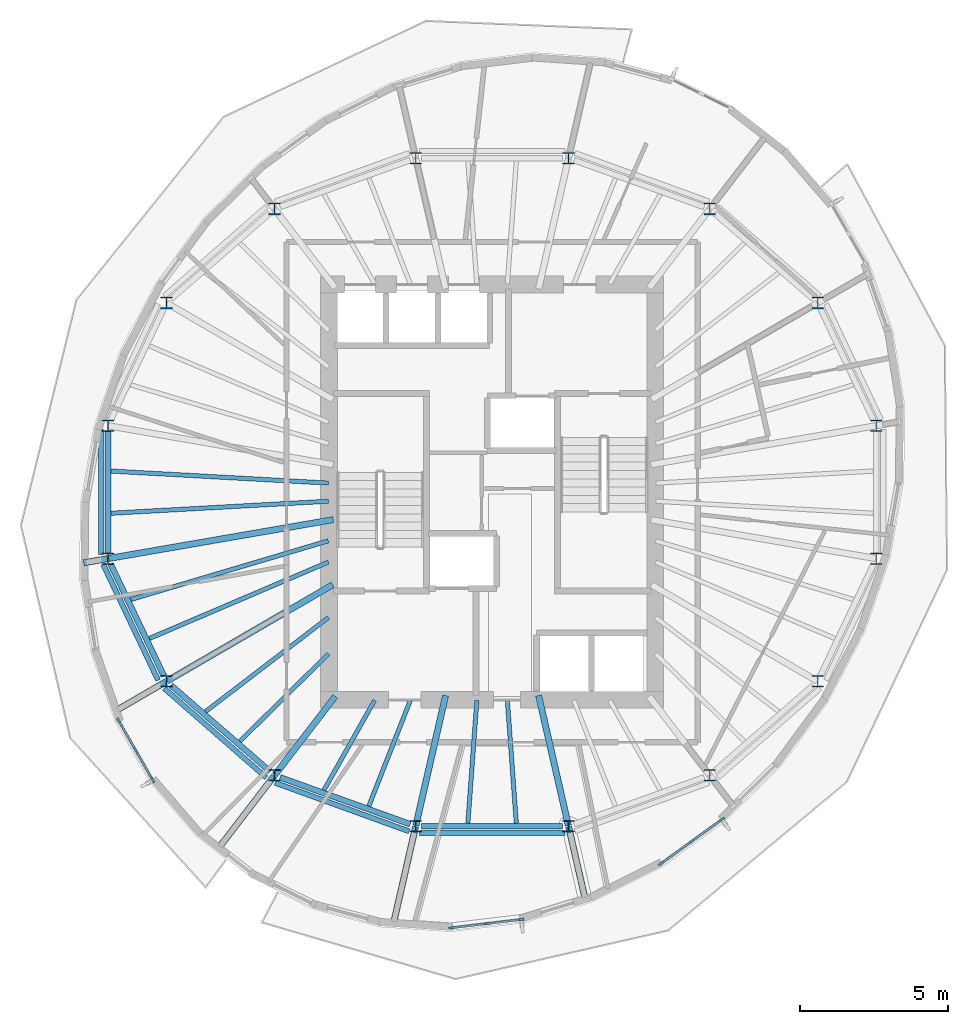
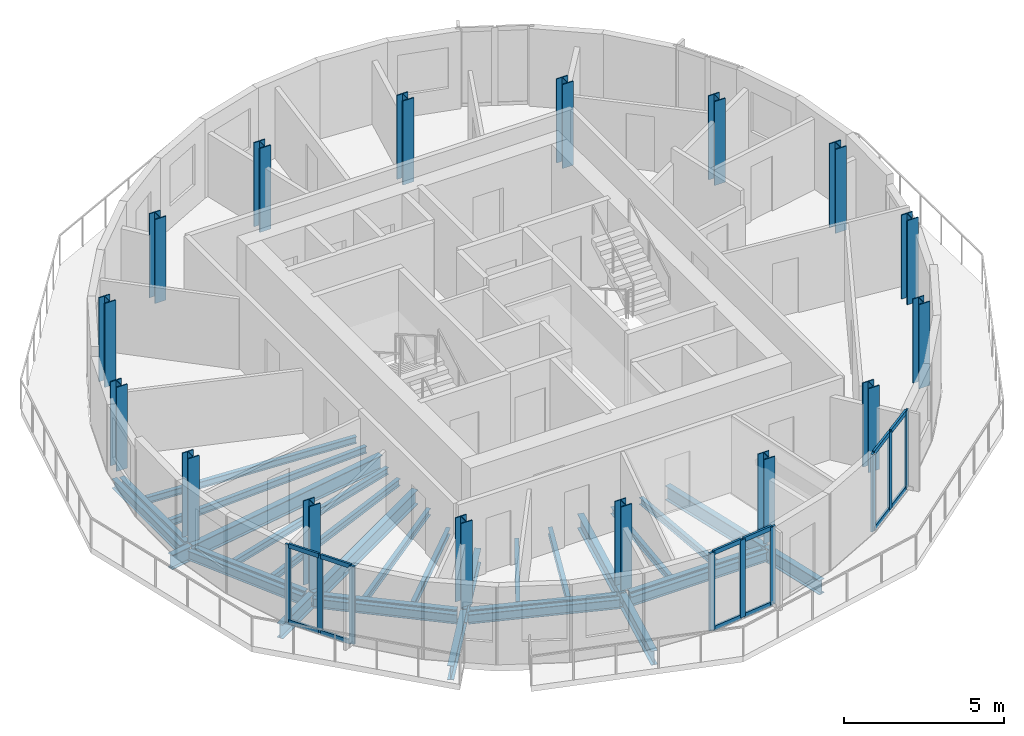
# One storey, part 1 of 9: 30 beams, 21 members, 16 columns, 3 elements without a shape of their own.
"""IFC4 building model written with IfcOpenShell, lengths in metres."""

from ifc_helpers import new_model, si_unit, direction, frame, origin, origin_2d, place, context, subcontext, project, spatial, rectangle, i_section, extrude, material, material_profile, profile_set, type_object, element, aggregate, save


model = new_model("IFC4")

# Units and contexts
model_context = context("Model", 3, precision=1e-05, world=origin(), true_north=direction((0.0, 1.0)))
body_context = subcontext(model_context, "Body", "Model", "MODEL_VIEW")
ifc_project = project(units=[si_unit("LENGTHUNIT", "METRE"), si_unit("AREAUNIT", "SQUARE_METRE"), si_unit("VOLUMEUNIT", "CUBIC_METRE"), si_unit("PLANEANGLEUNIT", "RADIAN"), si_unit("MASSUNIT", "GRAM", prefix="KILO")], contexts=[model_context])

# Site, building, storey
site_placement = place(None, origin())
site = spatial("IfcSite", under=ifc_project, at=site_placement, CompositionType="ELEMENT")
building_placement = place(site_placement, origin())
building = spatial("IfcBuilding", under=site, at=building_placement, Name="Veldorim Arch Residences", CompositionType="ELEMENT")
storey_placement = place(building_placement, frame((0.0, 0.0, 233.43994140625)))
storey = spatial("IfcBuildingStorey", under=building, at=storey_placement, Name="L70", CompositionType="ELEMENT", Elevation=233.43994140625)

# Columns
ifc_material_1 = material(Name="Steel S460", Category="steel")
ifc_material_profile_1 = material_profile(ifc_material_1, i_section(OverallWidth=0.39892578125, OverallDepth=0.3935546875, WebThickness=0.022705078125, FlangeThickness=0.03662109375, at=origin_2d()), Name="UC356x406x287")
ifc_profile_set_1 = profile_set([ifc_material_profile_1], Name="Steel S460")
column_type = type_object("IfcColumnType", Name="Structural Column UC356x406x287", PredefinedType="COLUMN", material=ifc_profile_set_1)
for number, where, z_axis, x_axis, name in (
    (1, (44.9462890625, 26.239501953125, 0.0), (0.0, 0.0, 1.0), (1.0, 0.0, 0.0), "L70 TC-Z4-01 perimeter column"),
    (2, (42.975341796875, 30.3779296875, 0.0), (0.0, 0.0, 1.0), (1.0, 0.0, 0.0), "L70 TC-Z4-02 perimeter column"),
    (3, (39.33349609375, 33.54541015625, 0.0), (0.0, 0.0, 1.0), (1.0, 0.0, 0.0), "L70 TC-Z4-03 perimeter column"),
    (4, (34.5751953125, 35.259521484375, 0.0), (0.0, 0.0, 1.0), (1.0, 0.0, 0.0), "L70 TC-Z4-04 perimeter column"),
    (5, (29.4248046875, 35.259521484375, 0.0), (0.0, 0.0, 1.0), (1.0, 0.0, 0.0), "L70 TC-Z4-05 perimeter column"),
    (6, (24.66650390625, 33.54541015625, 0.0), (0.0, 0.0, 1.0), (1.0, 0.0, 0.0), "L70 TC-Z4-06 perimeter column"),
    (7, (21.024658203125, 30.3779296875, 0.0), (0.0, 0.0, 1.0), (1.0, 0.0, 0.0), "L70 TC-Z4-07 perimeter column"),
    (8, (19.0537109375, 26.239501953125, 0.0), (0.0, 0.0, 1.0), (1.0, 0.0, 0.0), "L70 TC-Z4-08 perimeter column"),
    (9, (19.0537109375, 21.760498046875, 0.0), (0.0, 0.0, 1.0), (1.0, 0.0, 0.0), "L70 TC-Z4-09 perimeter column"),
    (10, (21.024658203125, 17.6220703125, 0.0), (0.0, 0.0, 1.0), (1.0, 0.0, 0.0), "L70 TC-Z4-10 perimeter column"),
    (11, (24.66650390625, 14.45458984375, 0.0), (0.0, 0.0, 1.0), (1.0, 0.0, 0.0), "L70 TC-Z4-11 perimeter column"),
    (12, (29.4248046875, 12.740478515625, 0.0), (0.0, 0.0, 1.0), (1.0, 0.0, 0.0), "L70 TC-Z4-12 perimeter column"),
    (13, (34.5751953125, 12.740478515625, 0.0), (0.0, 0.0, 1.0), (1.0, 0.0, 0.0), "L70 TC-Z4-13 perimeter column"),
    (14, (39.33349609375, 14.45458984375, 0.0), (0.0, 0.0, 1.0), (1.0, 0.0, 0.0), "L70 TC-Z4-14 perimeter column"),
    (15, (42.975341796875, 17.6220703125, 0.0), (0.0, 0.0, 1.0), (1.0, 0.0, 0.0), "L70 TC-Z4-15 perimeter column"),
    (16, (44.9462890625, 21.760498046875, 0.0), (0.0, 0.0, 1.0), (1.0, 0.0, 0.0), "L70 TC-Z4-16 perimeter column"),
):
    element("IfcColumn", number, at=place(storey_placement, frame(where, z_axis=z_axis, x_axis=x_axis)), inside=storey, type_object=column_type, Name=name, PredefinedType="COLUMN", context=body_context, shape_type="SweptSolid", body=[
        extrude(i_section(OverallWidth=0.39892578125, OverallDepth=0.3935546875, WebThickness=0.022705078125, FlangeThickness=0.03662109375, at=origin_2d()), origin(), (0.0, 0.0, 1.0), 3.199951171875),
    ])

# Beams
ifc_material_2 = material(Name="Steel S355", Category="steel")
ifc_material_profile_2 = material_profile(ifc_material_2, i_section(OverallWidth=0.2119140625, OverallDepth=0.54443359375, WebThickness=0.0126953125, FlangeThickness=0.021240234375, at=origin_2d()), Name="UB533x210x122")
ifc_profile_set_2 = profile_set([ifc_material_profile_2], Name="Steel S355")
beam_type_1 = type_object("IfcBeamType", Name="Structural Steel Beam UB533x210x122", PredefinedType="BEAM", material=ifc_profile_set_2)
beam_1_placement = place(storey_placement, frame((26.647705078125, 23.07421875, -0.51220703125), z_axis=(-0.985364974081, -0.170457818401, 0.0), x_axis=(0.170457818401, -0.985364974081, 0.0)))
element("IfcBeam", 17, at=beam_1_placement, inside=storey, type_object=beam_type_1, Name="L70 radial floor girder 09", PredefinedType="BEAM", context=body_context, shape_type="SweptSolid", body=[
    extrude(i_section(OverallWidth=0.2119140625, OverallDepth=0.54443359375, WebThickness=0.0126953125, FlangeThickness=0.021240234375, at=origin_2d()), origin(), (0.0, 0.0, 1.0), 7.68701171875),
])
beam_2_placement = place(storey_placement, frame((19.033935546875, 21.757080078125, -0.51220703125), z_axis=(-0.985345661769, -0.170569419394, 0.0), x_axis=(0.170569419394, -0.985345661769, 0.0)))
element("IfcBeam", 18, at=beam_2_placement, inside=storey, type_object=beam_type_1, Name="L70 radial edge cantilever girder 09", PredefinedType="BEAM", context=body_context, shape_type="SweptSolid", body=[
    extrude(i_section(OverallWidth=0.2119140625, OverallDepth=0.54443359375, WebThickness=0.0126953125, FlangeThickness=0.021240234375, at=origin_2d()), origin(), (0.0, 0.0, 1.0), 0.814453125),
])
beam_3_placement = place(storey_placement, frame((26.629638671875, 20.87939453125, -0.51220703125), z_axis=(-0.864595736304, -0.502468121142, 0.0), x_axis=(0.502468121142, -0.864595736304, 0.0)))
element("IfcBeam", 19, at=beam_3_placement, inside=storey, type_object=beam_type_1, Name="L70 radial floor girder 10", PredefinedType="BEAM", context=body_context, shape_type="SweptSolid", body=[
    extrude(i_section(OverallWidth=0.2119140625, OverallDepth=0.54443359375, WebThickness=0.0126953125, FlangeThickness=0.021240234375, at=origin_2d()), origin(), (0.0, 0.0, 1.0), 6.462646484375),
])
beam_4_placement = place(storey_placement, frame((21.00732421875, 17.612060546875, -0.51220703125), z_axis=(-0.864644868068, -0.502383570714, 0.0), x_axis=(0.502383570714, -0.864644868068, 0.0)))
element("IfcBeam", 20, at=beam_4_placement, inside=storey, type_object=beam_type_1, Name="L70 radial edge cantilever girder 10", PredefinedType="BEAM", context=body_context, shape_type="SweptSolid", body=[
    extrude(i_section(OverallWidth=0.2119140625, OverallDepth=0.54443359375, WebThickness=0.0126953125, FlangeThickness=0.021240234375, at=origin_2d()), origin(), (0.0, 0.0, 1.0), 1.970703125),
])
beam_5_placement = place(storey_placement, frame((26.71337890625, 17.118896484375, -0.51220703125), z_axis=(-0.609258442308, -0.792971721108, 0.0), x_axis=(0.792971721108, -0.609258442308, 0.0)))
element("IfcBeam", 21, at=beam_5_placement, inside=storey, type_object=beam_type_1, Name="L70 radial floor girder 11", PredefinedType="BEAM", context=body_context, shape_type="SweptSolid", body=[
    extrude(i_section(OverallWidth=0.2119140625, OverallDepth=0.54443359375, WebThickness=0.0126953125, FlangeThickness=0.021240234375, at=origin_2d()), origin(), (0.0, 0.0, 1.0), 3.339599609375),
])
beam_6_placement = place(storey_placement, frame((24.654296875, 14.438720703125, -0.51220703125), z_axis=(-0.609263326719, -0.792967968278, 0.0), x_axis=(0.792967968278, -0.609263326719, 0.0)))
element("IfcBeam", 22, at=beam_6_placement, inside=storey, type_object=beam_type_1, Name="L70 radial edge cantilever girder 11", PredefinedType="BEAM", context=body_context, shape_type="SweptSolid", body=[
    extrude(i_section(OverallWidth=0.2119140625, OverallDepth=0.54443359375, WebThickness=0.0126953125, FlangeThickness=0.021240234375, at=origin_2d()), origin(), (0.0, 0.0, 1.0), 3.0859375),
])
beam_7_placement = place(storey_placement, frame((30.432373046875, 17.146240234375, -0.51220703125), z_axis=(-0.222952976993, -0.97482920045, 0.0), x_axis=(0.97482920045, -0.222952976993, 0.0)))
element("IfcBeam", 23, at=beam_7_placement, inside=storey, type_object=beam_type_1, Name="L70 radial floor girder 12", PredefinedType="BEAM", context=body_context, shape_type="SweptSolid", body=[
    extrude(i_section(OverallWidth=0.2119140625, OverallDepth=0.54443359375, WebThickness=0.0126953125, FlangeThickness=0.021240234375, at=origin_2d()), origin(), (0.0, 0.0, 1.0), 4.49951171875),
])
beam_8_placement = place(storey_placement, frame((29.42041015625, 12.72119140625, -0.51220703125), z_axis=(-0.222994562623, -0.974819688476, 0.0), x_axis=(0.974819688476, -0.222994562623, 0.0)))
element("IfcBeam", 24, at=beam_8_placement, inside=storey, type_object=beam_type_1, Name="L70 radial edge cantilever girder 12", PredefinedType="BEAM", context=body_context, shape_type="SweptSolid", body=[
    extrude(i_section(OverallWidth=0.2119140625, OverallDepth=0.54443359375, WebThickness=0.0126953125, FlangeThickness=0.021240234375, at=origin_2d()), origin(), (0.0, 0.0, 1.0), 3.280029296875),
])
beam_9_placement = place(storey_placement, frame((33.567626953125, 17.146240234375, -0.51220703125), z_axis=(0.222952976993, -0.97482920045, 0.0), x_axis=(0.97482920045, 0.222952976993, 0.0)))
element("IfcBeam", 25, at=beam_9_placement, inside=storey, type_object=beam_type_1, Name="L70 radial floor girder 13", PredefinedType="BEAM", context=body_context, shape_type="SweptSolid", body=[
    extrude(i_section(OverallWidth=0.2119140625, OverallDepth=0.54443359375, WebThickness=0.0126953125, FlangeThickness=0.021240234375, at=origin_2d()), origin(), (0.0, 0.0, 1.0), 4.49951171875),
])
beam_10_placement = place(storey_placement, frame((34.57958984375, 12.72119140625, -0.51220703125), z_axis=(0.222961198563, -0.97482732006, 0.0), x_axis=(0.97482732006, 0.222961198563, 0.0)))
element("IfcBeam", 26, at=beam_10_placement, inside=storey, type_object=beam_type_1, Name="L70 radial edge cantilever girder 13", PredefinedType="BEAM", context=body_context, shape_type="SweptSolid", body=[
    extrude(i_section(OverallWidth=0.2119140625, OverallDepth=0.54443359375, WebThickness=0.0126953125, FlangeThickness=0.021240234375, at=origin_2d()), origin(), (0.0, 0.0, 1.0), 2.52734375),
])
ifc_material_3 = material(Name="Steel S355", Category="steel")
ifc_material_profile_3 = material_profile(ifc_material_3, i_section(OverallWidth=0.146484375, OverallDepth=0.256103515625, WebThickness=0.00634765625, FlangeThickness=0.010986328125, at=origin_2d()), Name="UB254x146x37")
ifc_profile_set_3 = profile_set([ifc_material_profile_3], Name="Steel S355")
beam_type_2 = type_object("IfcBeamType", Name="Structural Steel Joist UB254x146x37", PredefinedType="JOIST", material=ifc_profile_set_3)
for number, where, z_axis, x_axis, name in (
    (27, (26.47998046875, 24.3056640625, -0.367919921875), (-0.998472000884, 0.055259962464, 0.0), (-0.055259962464, -0.998472000884, 0.0), "L70 secondary radial floor joist 08-1"),
    (28, (26.47998046875, 23.6943359375, -0.367919921875), (-0.998472000884, -0.055259962464, 0.0), (0.055259962464, -0.998472000884, 0.0), "L70 secondary radial floor joist 08-2"),
):
    element("IfcBeam", number, at=place(storey_placement, frame(where, z_axis=z_axis, x_axis=x_axis)), inside=storey, type_object=beam_type_2, Name=name, PredefinedType="JOIST", context=body_context, shape_type="SweptSolid", body=[
        extrude(i_section(OverallWidth=0.146484375, OverallDepth=0.256103515625, WebThickness=0.00634765625, FlangeThickness=0.010986328125, at=origin_2d()), origin(), (0.0, 0.0, 1.0), 7.33837890625),
    ])
beam_11_placement = place(storey_placement, frame((26.480712890625, 22.360595703125, -0.367919921875), z_axis=(-0.958594432792, -0.284774846889, 0.0), x_axis=(0.284774846889, -0.958594432792, 0.0)))
element("IfcBeam", 29, at=beam_11_placement, inside=storey, type_object=beam_type_2, Name="L70 secondary radial floor joist 09-1", PredefinedType="JOIST", context=body_context, shape_type="SweptSolid", body=[
    extrude(i_section(OverallWidth=0.146484375, OverallDepth=0.256103515625, WebThickness=0.00634765625, FlangeThickness=0.010986328125, at=origin_2d()), origin(), (0.0, 0.0, 1.0), 6.949462890625),
])
beam_12_placement = place(storey_placement, frame((26.481689453125, 21.644287109375, -0.367919921875), z_axis=(-0.919725161652, -0.392562895629, 0.0), x_axis=(0.392562895629, -0.919725161652, 0.0)))
element("IfcBeam", 30, at=beam_12_placement, inside=storey, type_object=beam_type_2, Name="L70 secondary radial floor joist 09-2", PredefinedType="JOIST", context=body_context, shape_type="SweptSolid", body=[
    extrude(i_section(OverallWidth=0.146484375, OverallDepth=0.256103515625, WebThickness=0.00634765625, FlangeThickness=0.010986328125, at=origin_2d()), origin(), (0.0, 0.0, 1.0), 6.5625),
])
beam_13_placement = place(storey_placement, frame((26.484130859375, 19.777099609375, -0.367919921875), z_axis=(-0.794013672216, -0.607899899929, 0.0), x_axis=(0.607899899929, -0.794013672216, 0.0)))
element("IfcBeam", 31, at=beam_13_placement, inside=storey, type_object=beam_type_2, Name="L70 secondary radial floor joist 10-1", PredefinedType="JOIST", context=body_context, shape_type="SweptSolid", body=[
    extrude(i_section(OverallWidth=0.146484375, OverallDepth=0.256103515625, WebThickness=0.00634765625, FlangeThickness=0.010986328125, at=origin_2d()), origin(), (0.0, 0.0, 1.0), 5.217041015625),
])
beam_14_placement = place(storey_placement, frame((26.48583984375, 18.55224609375, -0.367919921875), z_axis=(-0.711396725432, -0.702790650937, 0.0), x_axis=(0.702790650937, -0.711396725432, 0.0)))
element("IfcBeam", 32, at=beam_14_placement, inside=storey, type_object=beam_type_2, Name="L70 secondary radial floor joist 10-2", PredefinedType="JOIST", context=body_context, shape_type="SweptSolid", body=[
    extrude(i_section(OverallWidth=0.146484375, OverallDepth=0.256103515625, WebThickness=0.00634765625, FlangeThickness=0.010986328125, at=origin_2d()), origin(), (0.0, 0.0, 1.0), 4.198486328125),
])
beam_15_placement = place(storey_placement, frame((28.039794921875, 16.982666015625, -0.367919921875), z_axis=(-0.491452469585, -0.870904397818, 0.0), x_axis=(0.870904397818, -0.491452469585, 0.0)))
element("IfcBeam", 33, at=beam_15_placement, inside=storey, type_object=beam_type_2, Name="L70 secondary radial floor joist 11-1", PredefinedType="JOIST", context=body_context, shape_type="SweptSolid", body=[
    extrude(i_section(OverallWidth=0.146484375, OverallDepth=0.256103515625, WebThickness=0.00634765625, FlangeThickness=0.010986328125, at=origin_2d()), origin(), (0.0, 0.0, 1.0), 3.472412109375),
])
beam_16_placement = place(storey_placement, frame((29.24365234375, 16.9814453125, -0.367919921875), z_axis=(-0.365581383042, -0.930779379001, 0.0), x_axis=(0.930779379001, -0.365581383042, 0.0)))
element("IfcBeam", 34, at=beam_16_placement, inside=storey, type_object=beam_type_2, Name="L70 secondary radial floor joist 11-2", PredefinedType="JOIST", context=body_context, shape_type="SweptSolid", body=[
    extrude(i_section(OverallWidth=0.146484375, OverallDepth=0.256103515625, WebThickness=0.00634765625, FlangeThickness=0.010986328125, at=origin_2d()), origin(), (0.0, 0.0, 1.0), 3.83056640625),
])
for number, where, z_axis, x_axis, name in (
    (35, (31.486083984375, 16.97998046875, -0.367919921875), (-0.072985625899, -0.997332992742, 0.0), (0.997332992742, -0.072985625899, 0.0), "L70 secondary radial floor joist 12-1"),
    (36, (32.513916015625, 16.97998046875, -0.367919921875), (0.072985625899, -0.997332992742, 0.0), (0.997332992742, 0.072985625899, 0.0), "L70 secondary radial floor joist 12-2"),
):
    element("IfcBeam", number, at=place(storey_placement, frame(where, z_axis=z_axis, x_axis=x_axis)), inside=storey, type_object=beam_type_2, Name=name, PredefinedType="JOIST", context=body_context, shape_type="SweptSolid", body=[
        extrude(i_section(OverallWidth=0.146484375, OverallDepth=0.256103515625, WebThickness=0.00634765625, FlangeThickness=0.010986328125, at=origin_2d()), origin(), (0.0, 0.0, 1.0), 4.151123046875),
    ])
ifc_material_4 = material(Name="Steel S355", Category="steel")
ifc_material_profile_4 = material_profile(ifc_material_4, i_section(OverallWidth=0.172119140625, OverallDepth=0.35791015625, WebThickness=0.008056640625, FlangeThickness=0.012939453125, at=origin_2d()), Name="UB356x171x57")
ifc_profile_set_4 = profile_set([ifc_material_profile_4], Name="Steel S355")
beam_type_3 = type_object("IfcBeamType", Name="Structural Steel Spandrel UB356x171x57", PredefinedType="SPANDREL", material=ifc_profile_set_4)
beam_17_placement = place(storey_placement, frame((18.817138671875, 26.10498046875, -0.43896484375), z_axis=(0.0, -1.0, 0.0), x_axis=(1.0, 0.0, 0.0)))
element("IfcBeam", 37, at=beam_17_placement, inside=storey, type_object=beam_type_3, Name="L70 perimeter chord spandrel beam 08", PredefinedType="SPANDREL", context=body_context, shape_type="SweptSolid", body=[
    extrude(i_section(OverallWidth=0.172119140625, OverallDepth=0.35791015625, WebThickness=0.008056640625, FlangeThickness=0.012939453125, at=origin_2d()), origin(), (0.0, 0.0, 1.0), 4.2099609375),
])
beam_18_placement = place(storey_placement, frame((18.892333984375, 21.560791015625, -0.43896484375), z_axis=(0.428453398876, -0.903563879862, 0.0), x_axis=(0.903563879862, 0.428453398876, 0.0)))
element("IfcBeam", 38, at=beam_18_placement, inside=storey, type_object=beam_type_3, Name="L70 perimeter chord spandrel beam 09", PredefinedType="SPANDREL", context=body_context, shape_type="SweptSolid", body=[
    extrude(i_section(OverallWidth=0.172119140625, OverallDepth=0.35791015625, WebThickness=0.008056640625, FlangeThickness=0.012939453125, at=origin_2d()), origin(), (0.0, 0.0, 1.0), 4.31689453125),
])
beam_19_placement = place(storey_placement, frame((20.94921875, 17.385986328125, -0.43896484375), z_axis=(0.752901089301, -0.658133686821, 0.0), x_axis=(0.658133686821, 0.752901089301, 0.0)))
element("IfcBeam", 39, at=beam_19_placement, inside=storey, type_object=beam_type_3, Name="L70 perimeter chord spandrel beam 10", PredefinedType="SPANDREL", context=body_context, shape_type="SweptSolid", body=[
    extrude(i_section(OverallWidth=0.172119140625, OverallDepth=0.35791015625, WebThickness=0.008056640625, FlangeThickness=0.012939453125, at=origin_2d()), origin(), (0.0, 0.0, 1.0), 4.567626953125),
])
beam_20_placement = place(storey_placement, frame((24.685302734375, 14.20458984375, -0.43896484375), z_axis=(0.940181197783, -0.340674794099, 0.0), x_axis=(0.340674794099, 0.940181197783, 0.0)))
element("IfcBeam", 40, at=beam_20_placement, inside=storey, type_object=beam_type_3, Name="L70 perimeter chord spandrel beam 11", PredefinedType="SPANDREL", context=body_context, shape_type="SweptSolid", body=[
    extrude(i_section(OverallWidth=0.172119140625, OverallDepth=0.35791015625, WebThickness=0.008056640625, FlangeThickness=0.012939453125, at=origin_2d()), origin(), (0.0, 0.0, 1.0), 4.80859375),
])
beam_21_placement = place(storey_placement, frame((29.546875, 12.506591796875, -0.43896484375), z_axis=(1.0, 0.0, 0.0), x_axis=(0.0, 1.0, 0.0)))
element("IfcBeam", 41, at=beam_21_placement, inside=storey, type_object=beam_type_3, Name="L70 perimeter chord spandrel beam 12", PredefinedType="SPANDREL", context=body_context, shape_type="SweptSolid", body=[
    extrude(i_section(OverallWidth=0.172119140625, OverallDepth=0.35791015625, WebThickness=0.008056640625, FlangeThickness=0.012939453125, at=origin_2d()), origin(), (0.0, 0.0, 1.0), 4.90625),
])
ifc_material_5 = material(Name="Steel S355", Category="steel")
ifc_material_profile_5 = material_profile(ifc_material_5, i_section(OverallWidth=0.19140625, OverallDepth=0.4599609375, WebThickness=0.010009765625, FlangeThickness=0.01611328125, at=origin_2d()), Name="UB457x191x82")
ifc_profile_set_5 = profile_set([ifc_material_profile_5], Name="Steel S355")
beam_type_4 = type_object("IfcBeamType", Name="Structural Steel Spandrel UB457x191x82", PredefinedType="SPANDREL", material=ifc_profile_set_5)
beam_22_placement = place(storey_placement, frame((19.0537109375, 26.0400390625, -0.469970703125), z_axis=(0.0, -1.0, 0.0), x_axis=(1.0, 0.0, 0.0)))
element("IfcBeam", 42, at=beam_22_placement, inside=storey, type_object=beam_type_4, Name="L70 perimeter ring tie beam 08", PredefinedType="SPANDREL", context=body_context, shape_type="SweptSolid", body=[
    extrude(i_section(OverallWidth=0.19140625, OverallDepth=0.4599609375, WebThickness=0.010009765625, FlangeThickness=0.01611328125, at=origin_2d()), origin(), (0.0, 0.0, 1.0), 4.080078125),
])
beam_23_placement = place(storey_placement, frame((19.139404296875, 21.580322265625, -0.469970703125), z_axis=(0.42997887291, -0.902838949564, 0.0), x_axis=(0.902838949564, 0.42997887291, 0.0)))
element("IfcBeam", 43, at=beam_23_placement, inside=storey, type_object=beam_type_4, Name="L70 perimeter ring tie beam 09", PredefinedType="SPANDREL", context=body_context, shape_type="SweptSolid", body=[
    extrude(i_section(OverallWidth=0.19140625, OverallDepth=0.4599609375, WebThickness=0.010009765625, FlangeThickness=0.01611328125, at=origin_2d()), origin(), (0.0, 0.0, 1.0), 4.1845703125),
])
beam_24_placement = place(storey_placement, frame((21.175048828125, 17.4912109375, -0.469970703125), z_axis=(0.754578219063, -0.656210112171, 0.0), x_axis=(0.656210112171, 0.754578219063, 0.0)))
element("IfcBeam", 44, at=beam_24_placement, inside=storey, type_object=beam_type_4, Name="L70 perimeter ring tie beam 10", PredefinedType="SPANDREL", context=body_context, shape_type="SweptSolid", body=[
    extrude(i_section(OverallWidth=0.19140625, OverallDepth=0.4599609375, WebThickness=0.010009765625, FlangeThickness=0.01611328125, at=origin_2d()), origin(), (0.0, 0.0, 1.0), 4.427734375),
])
beam_25_placement = place(storey_placement, frame((24.854248046875, 14.38720703125, -0.469970703125), z_axis=(0.940799194754, -0.338964415757, 0.0), x_axis=(0.338964415757, 0.940799194754, 0.0)))
element("IfcBeam", 45, at=beam_25_placement, inside=storey, type_object=beam_type_4, Name="L70 perimeter ring tie beam 11", PredefinedType="SPANDREL", context=body_context, shape_type="SweptSolid", body=[
    extrude(i_section(OverallWidth=0.19140625, OverallDepth=0.4599609375, WebThickness=0.010009765625, FlangeThickness=0.01611328125, at=origin_2d()), origin(), (0.0, 0.0, 1.0), 4.65869140625),
])
beam_26_placement = place(storey_placement, frame((29.624267578125, 12.740478515625, -0.469970703125), z_axis=(1.0, 0.0, 0.0), x_axis=(0.0, 1.0, 0.0)))
element("IfcBeam", 46, at=beam_26_placement, inside=storey, type_object=beam_type_4, Name="L70 perimeter ring tie beam 12", PredefinedType="SPANDREL", context=body_context, shape_type="SweptSolid", body=[
    extrude(i_section(OverallWidth=0.19140625, OverallDepth=0.4599609375, WebThickness=0.010009765625, FlangeThickness=0.01611328125, at=origin_2d()), origin(), (0.0, 0.0, 1.0), 4.75146484375),
])

# Curtain wall, members
ifc_material_6 = material(Name="Aluminium", Category="aluminium")
curtain_wall_type = type_object("IfcCurtainWallType", Name="Zone 4 High-Altitude Unitised Curtain Wall", PredefinedType="NOTDEFINED", material=ifc_material_6)
curtain_wall_1_placement = place(storey_placement, origin())
curtain_wall_1 = element("IfcCurtainWall", 47, at=curtain_wall_1_placement, inside=storey, type_object=curtain_wall_type, Name="L70 unitised curtain wall bay 16", PredefinedType="NOTDEFINED")
ifc_material_7 = material(Name="Aluminium", Category="aluminium")
ifc_material_profile_6 = material_profile(ifc_material_7, rectangle(XDim=0.074951171875, YDim=0.195068359375, at=origin_2d()), Name="ALU_MUL_75x195")
ifc_profile_set_6 = profile_set([ifc_material_profile_6], Name="Aluminium")
member_type_1 = type_object("IfcMemberType", Name="Zone 4 High-Altitude Unitised Curtain Wall Mullion 75x195", PredefinedType="MULLION", material=ifc_profile_set_6)
member_1_placement = place(storey_placement, frame((20.560302734375, 14.290771484375, 0.0), z_axis=(0.0, 0.0, 1.0), x_axis=(-0.868165815249, -0.496274235915, 0.0)))
member_1 = element("IfcMember", 48, at=member_1_placement, type_object=member_type_1, Name="CW-Z4 mullion 1", PredefinedType="MULLION", context=body_context, shape_type="SweptSolid", body=[
    extrude(rectangle(XDim=0.074951171875, YDim=0.195068359375, at=origin_2d()), origin(), (0.0, 0.0, 1.0), 2.9599609375),
])
member_2_placement = place(storey_placement, frame((19.986572265625, 15.294921875, 0.0), z_axis=(0.0, 0.0, 1.0), x_axis=(-0.868165815249, -0.496274235915, 0.0)))
member_2 = element("IfcMember", 49, at=member_2_placement, type_object=member_type_1, Name="CW-Z4 mullion 2", PredefinedType="MULLION", context=body_context, shape_type="SweptSolid", body=[
    extrude(rectangle(XDim=0.074951171875, YDim=0.195068359375, at=origin_2d()), origin(), (0.0, 0.0, 1.0), 2.9599609375),
])
member_3_placement = place(storey_placement, frame((19.41259765625, 16.298828125, 0.0), z_axis=(0.0, 0.0, 1.0), x_axis=(-0.868165815249, -0.496274235915, 0.0)))
member_3 = element("IfcMember", 50, at=member_3_placement, type_object=member_type_1, Name="CW-Z4 mullion 3", PredefinedType="MULLION", context=body_context, shape_type="SweptSolid", body=[
    extrude(rectangle(XDim=0.074951171875, YDim=0.195068359375, at=origin_2d()), origin(), (0.0, 0.0, 1.0), 2.9599609375),
])

curtain_wall_2_placement = place(storey_placement, origin())
curtain_wall_2 = element("IfcCurtainWall", 51, at=curtain_wall_2_placement, inside=storey, type_object=curtain_wall_type, Name="L70 unitised curtain wall bay 22", PredefinedType="NOTDEFINED")
member_4_placement = place(storey_placement, frame((32.98388671875, 9.594482421875, 0.0), z_axis=(0.0, 0.0, 1.0), x_axis=(0.11850898727, -0.992952979721, 0.0)))
member_4 = element("IfcMember", 52, at=member_4_placement, type_object=member_type_1, Name="CW-Z4 mullion 1", PredefinedType="MULLION", context=body_context, shape_type="SweptSolid", body=[
    extrude(rectangle(XDim=0.074951171875, YDim=0.195068359375, at=origin_2d()), origin(), (0.0, 0.0, 1.0), 2.9599609375),
])
member_5_placement = place(storey_placement, frame((31.80859375, 9.454345703125, 0.0), z_axis=(0.0, 0.0, 1.0), x_axis=(0.11850898727, -0.992952979721, 0.0)))
member_5 = element("IfcMember", 53, at=member_5_placement, type_object=member_type_1, Name="CW-Z4 mullion 2", PredefinedType="MULLION", context=body_context, shape_type="SweptSolid", body=[
    extrude(rectangle(XDim=0.074951171875, YDim=0.195068359375, at=origin_2d()), origin(), (0.0, 0.0, 1.0), 2.9599609375),
])
member_6_placement = place(storey_placement, frame((30.633544921875, 9.31396484375, 0.0), z_axis=(0.0, 0.0, 1.0), x_axis=(0.11850898727, -0.992952979721, 0.0)))
member_6 = element("IfcMember", 54, at=member_6_placement, type_object=member_type_1, Name="CW-Z4 mullion 3", PredefinedType="MULLION", context=body_context, shape_type="SweptSolid", body=[
    extrude(rectangle(XDim=0.074951171875, YDim=0.195068359375, at=origin_2d()), origin(), (0.0, 0.0, 1.0), 2.9599609375),
])

curtain_wall_3_placement = place(storey_placement, origin())
curtain_wall_3 = element("IfcCurtainWall", 55, at=curtain_wall_3_placement, inside=storey, type_object=curtain_wall_type, Name="L70 unitised curtain wall bay 25", PredefinedType="NOTDEFINED")
member_7_placement = place(storey_placement, frame((39.747314453125, 12.968994140625, 0.0), z_axis=(0.0, 0.0, 1.0), x_axis=(0.586225674606, -0.810147800363, 0.0)))
member_7 = element("IfcMember", 56, at=member_7_placement, type_object=member_type_1, Name="CW-Z4 mullion 1", PredefinedType="MULLION", context=body_context, shape_type="SweptSolid", body=[
    extrude(rectangle(XDim=0.074951171875, YDim=0.195068359375, at=origin_2d()), origin(), (0.0, 0.0, 1.0), 2.9599609375),
])
member_8_placement = place(storey_placement, frame((38.7197265625, 12.2255859375, 0.0), z_axis=(0.0, 0.0, 1.0), x_axis=(0.586225674606, -0.810147800363, 0.0)))
member_8 = element("IfcMember", 57, at=member_8_placement, type_object=member_type_1, Name="CW-Z4 mullion 2", PredefinedType="MULLION", context=body_context, shape_type="SweptSolid", body=[
    extrude(rectangle(XDim=0.074951171875, YDim=0.195068359375, at=origin_2d()), origin(), (0.0, 0.0, 1.0), 2.9599609375),
])
member_9_placement = place(storey_placement, frame((37.692138671875, 11.48193359375, 0.0), z_axis=(0.0, 0.0, 1.0), x_axis=(0.586225674606, -0.810147800363, 0.0)))
member_9 = element("IfcMember", 58, at=member_9_placement, type_object=member_type_1, Name="CW-Z4 mullion 3", PredefinedType="MULLION", context=body_context, shape_type="SweptSolid", body=[
    extrude(rectangle(XDim=0.074951171875, YDim=0.195068359375, at=origin_2d()), origin(), (0.0, 0.0, 1.0), 2.9599609375),
])

# Member
ifc_material_8 = material(Name="Aluminium", Category="aluminium")
ifc_material_profile_7 = material_profile(ifc_material_8, rectangle(XDim=0.074951171875, YDim=0.1650390625, at=origin_2d()), Name="ALU_TRN_75x165")
ifc_profile_set_7 = profile_set([ifc_material_profile_7], Name="Aluminium")
member_type_2 = type_object("IfcMemberType", Name="Zone 4 High-Altitude Unitised Curtain Wall Transom 75x165", PredefinedType="USERDEFINED", material=ifc_profile_set_7)
member_10_placement = place(storey_placement, frame((20.541748046875, 14.323486328125, 0.03759765625), z_axis=(-0.496284825961, 0.868159761519, 0.0), x_axis=(-0.868159761519, -0.496284825961, 0.0)))
member_10 = element("IfcMember", 59, at=member_10_placement, type_object=member_type_2, Name="CW-Z4 transom 1.1", ObjectType="TRANSOM", PredefinedType="USERDEFINED", context=body_context, shape_type="SweptSolid", body=[
    extrude(rectangle(XDim=0.074951171875, YDim=0.1650390625, at=origin_2d()), origin(), (0.0, 0.0, 1.0), 1.081298828125),
])

member_11_placement = place(storey_placement, frame((20.541748046875, 14.323486328125, 2.922607421875), z_axis=(-0.496284825961, 0.868159761519, 0.0), x_axis=(-0.868159761519, -0.496284825961, 0.0)))
member_11 = element("IfcMember", 60, at=member_11_placement, type_object=member_type_2, Name="CW-Z4 transom 1.2", ObjectType="TRANSOM", PredefinedType="USERDEFINED", context=body_context, shape_type="SweptSolid", body=[
    extrude(rectangle(XDim=0.074951171875, YDim=0.1650390625, at=origin_2d()), origin(), (0.0, 0.0, 1.0), 1.081298828125),
])

member_12_placement = place(storey_placement, frame((19.9677734375, 15.327392578125, 0.03759765625), z_axis=(-0.496284825961, 0.868159761519, 0.0), x_axis=(-0.868159761519, -0.496284825961, 0.0)))
member_12 = element("IfcMember", 61, at=member_12_placement, type_object=member_type_2, Name="CW-Z4 transom 2.1", ObjectType="TRANSOM", PredefinedType="USERDEFINED", context=body_context, shape_type="SweptSolid", body=[
    extrude(rectangle(XDim=0.074951171875, YDim=0.1650390625, at=origin_2d()), origin(), (0.0, 0.0, 1.0), 1.081298828125),
])

member_13_placement = place(storey_placement, frame((19.9677734375, 15.327392578125, 2.922607421875), z_axis=(-0.496284825961, 0.868159761519, 0.0), x_axis=(-0.868159761519, -0.496284825961, 0.0)))
member_13 = element("IfcMember", 62, at=member_13_placement, type_object=member_type_2, Name="CW-Z4 transom 2.2", ObjectType="TRANSOM", PredefinedType="USERDEFINED", context=body_context, shape_type="SweptSolid", body=[
    extrude(rectangle(XDim=0.074951171875, YDim=0.1650390625, at=origin_2d()), origin(), (0.0, 0.0, 1.0), 1.081298828125),
])

aggregate(curtain_wall_1, [member_1, member_2, member_3, member_10, member_11, member_12, member_13])

member_14_placement = place(storey_placement, frame((32.946533203125, 9.590087890625, 0.03759765625), z_axis=(-0.99295375788, -0.118502467112, 0.0), x_axis=(0.118502467112, -0.99295375788, 0.0)))
member_14 = element("IfcMember", 63, at=member_14_placement, type_object=member_type_2, Name="CW-Z4 transom 1.1", ObjectType="TRANSOM", PredefinedType="USERDEFINED", context=body_context, shape_type="SweptSolid", body=[
    extrude(rectangle(XDim=0.074951171875, YDim=0.1650390625, at=origin_2d()), origin(), (0.0, 0.0, 1.0), 1.1083984375),
])

member_15_placement = place(storey_placement, frame((32.946533203125, 9.590087890625, 2.922607421875), z_axis=(-0.99295375788, -0.118502467112, 0.0), x_axis=(0.118502467112, -0.99295375788, 0.0)))
member_15 = element("IfcMember", 64, at=member_15_placement, type_object=member_type_2, Name="CW-Z4 transom 1.2", ObjectType="TRANSOM", PredefinedType="USERDEFINED", context=body_context, shape_type="SweptSolid", body=[
    extrude(rectangle(XDim=0.074951171875, YDim=0.1650390625, at=origin_2d()), origin(), (0.0, 0.0, 1.0), 1.1083984375),
])

member_16_placement = place(storey_placement, frame((31.771484375, 9.449951171875, 0.03759765625), z_axis=(-0.992956850008, -0.118476554736, 0.0), x_axis=(0.118476554736, -0.992956850008, 0.0)))
member_16 = element("IfcMember", 65, at=member_16_placement, type_object=member_type_2, Name="CW-Z4 transom 2.1", ObjectType="TRANSOM", PredefinedType="USERDEFINED", context=body_context, shape_type="SweptSolid", body=[
    extrude(rectangle(XDim=0.074951171875, YDim=0.1650390625, at=origin_2d()), origin(), (0.0, 0.0, 1.0), 1.108642578125),
])

member_17_placement = place(storey_placement, frame((31.771484375, 9.449951171875, 2.922607421875), z_axis=(-0.992956850008, -0.118476554736, 0.0), x_axis=(0.118476554736, -0.992956850008, 0.0)))
member_17 = element("IfcMember", 66, at=member_17_placement, type_object=member_type_2, Name="CW-Z4 transom 2.2", ObjectType="TRANSOM", PredefinedType="USERDEFINED", context=body_context, shape_type="SweptSolid", body=[
    extrude(rectangle(XDim=0.074951171875, YDim=0.1650390625, at=origin_2d()), origin(), (0.0, 0.0, 1.0), 1.108642578125),
])

aggregate(curtain_wall_2, [member_4, member_5, member_6, member_14, member_15, member_16, member_17])

member_18_placement = place(storey_placement, frame((39.716796875, 12.947021484375, 0.03759765625), z_axis=(-0.810193401308, -0.586162650189, 0.0), x_axis=(0.586162650189, -0.810193401308, 0.0)))
member_18 = element("IfcMember", 67, at=member_18_placement, type_object=member_type_2, Name="CW-Z4 transom 1.1", ObjectType="TRANSOM", PredefinedType="USERDEFINED", context=body_context, shape_type="SweptSolid", body=[
    extrude(rectangle(XDim=0.074951171875, YDim=0.1650390625, at=origin_2d()), origin(), (0.0, 0.0, 1.0), 1.193359375),
])

member_19_placement = place(storey_placement, frame((39.716796875, 12.947021484375, 2.922607421875), z_axis=(-0.810193401308, -0.586162650189, 0.0), x_axis=(0.586162650189, -0.810193401308, 0.0)))
member_19 = element("IfcMember", 68, at=member_19_placement, type_object=member_type_2, Name="CW-Z4 transom 1.2", ObjectType="TRANSOM", PredefinedType="USERDEFINED", context=body_context, shape_type="SweptSolid", body=[
    extrude(rectangle(XDim=0.074951171875, YDim=0.1650390625, at=origin_2d()), origin(), (0.0, 0.0, 1.0), 1.193359375),
])

member_20_placement = place(storey_placement, frame((38.689208984375, 12.20361328125, 0.03759765625), z_axis=(-0.81002590183, -0.586394098167, 0.0), x_axis=(0.586394098167, -0.81002590183, 0.0)))
member_20 = element("IfcMember", 69, at=member_20_placement, type_object=member_type_2, Name="CW-Z4 transom 2.1", ObjectType="TRANSOM", PredefinedType="USERDEFINED", context=body_context, shape_type="SweptSolid", body=[
    extrude(rectangle(XDim=0.074951171875, YDim=0.1650390625, at=origin_2d()), origin(), (0.0, 0.0, 1.0), 1.193115234375),
])

member_21_placement = place(storey_placement, frame((38.689208984375, 12.20361328125, 2.922607421875), z_axis=(-0.81002590183, -0.586394098167, 0.0), x_axis=(0.586394098167, -0.81002590183, 0.0)))
member_21 = element("IfcMember", 70, at=member_21_placement, type_object=member_type_2, Name="CW-Z4 transom 2.2", ObjectType="TRANSOM", PredefinedType="USERDEFINED", context=body_context, shape_type="SweptSolid", body=[
    extrude(rectangle(XDim=0.074951171875, YDim=0.1650390625, at=origin_2d()), origin(), (0.0, 0.0, 1.0), 1.193115234375),
])

aggregate(curtain_wall_3, [member_7, member_8, member_9, member_18, member_19, member_20, member_21])

save(model, "model.ifc")
